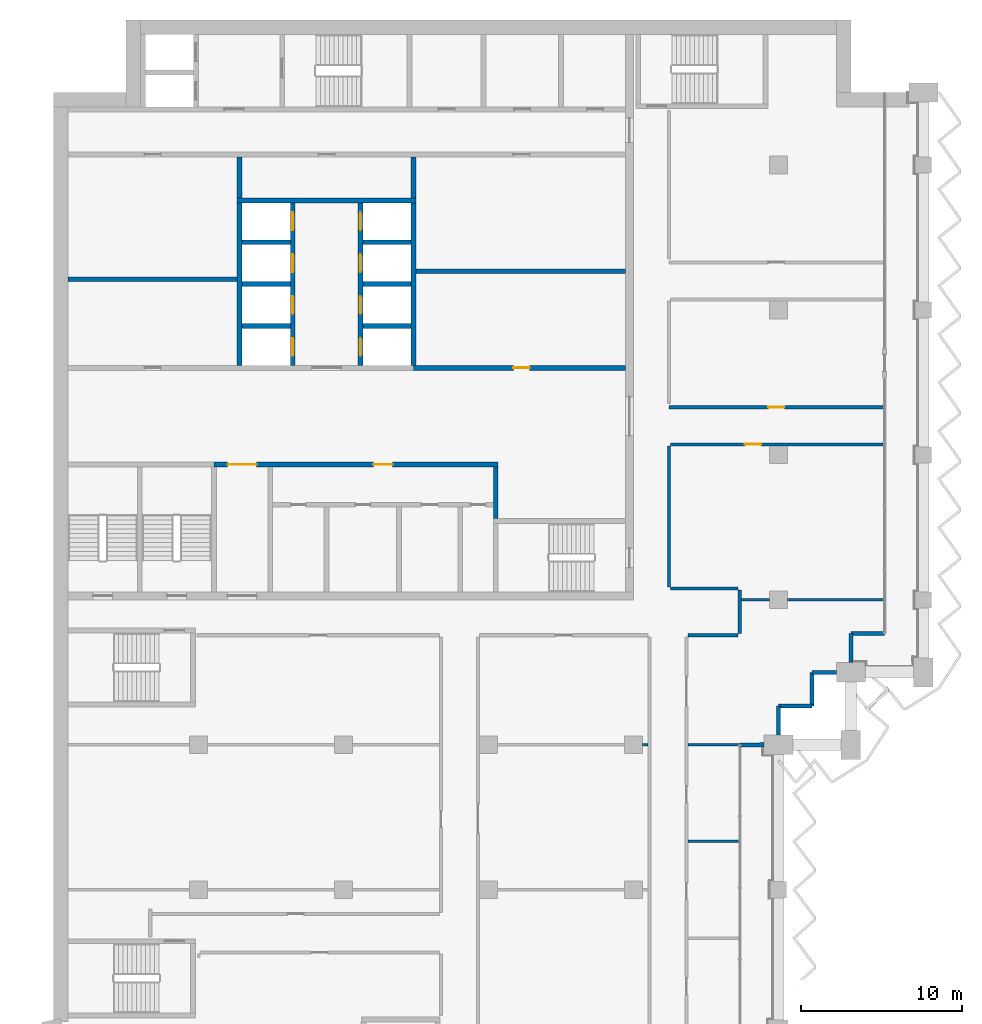
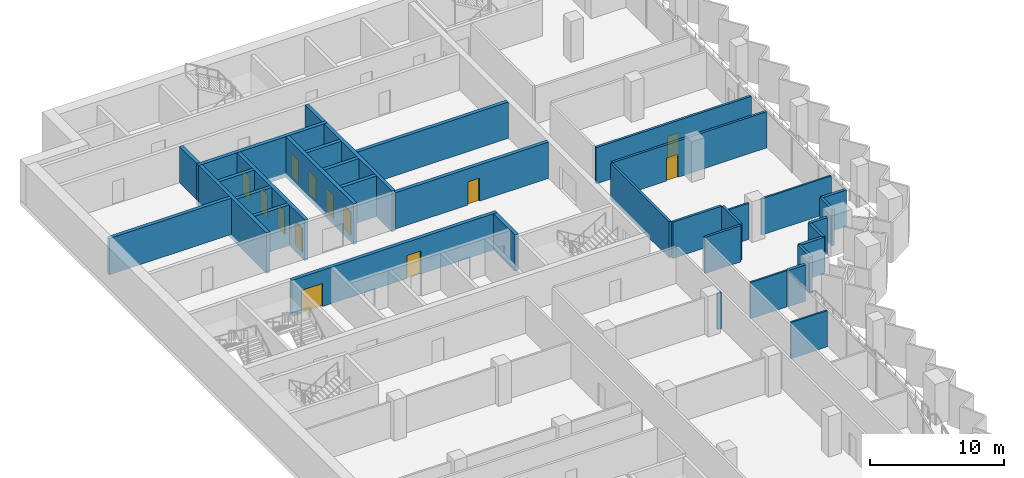
# One storey, part 9 of 17: 36 walls, 13 doors, 13 openings.
"""IFC4 building model written with IfcOpenShell, lengths in metres."""

from ifc_helpers import new_model, si_unit, direction, frame, frame_2d, origin, place, context, subcontext, project, spatial, rectangle, extrude, material, layer, layer_set, type_object, element, fill, save


model = new_model("IFC4")

# Units and contexts
model_context = context("Model", 3, precision=1e-05, world=origin(), true_north=direction((0.0, 1.0)))
body_context = subcontext(model_context, "Body", "Model", "MODEL_VIEW")
ifc_project = project(units=[si_unit("LENGTHUNIT", "METRE"), si_unit("AREAUNIT", "SQUARE_METRE"), si_unit("VOLUMEUNIT", "CUBIC_METRE"), si_unit("PLANEANGLEUNIT", "RADIAN"), si_unit("MASSUNIT", "GRAM", prefix="KILO")], contexts=[model_context])

# Site, building, storey
site_placement = place(None, origin())
site = spatial("IfcSite", under=ifc_project, at=site_placement, CompositionType="ELEMENT")
building_placement = place(site_placement, origin())
building = spatial("IfcBuilding", under=site, at=building_placement, Name="Hunhe Ridgeline Campus", CompositionType="ELEMENT")
storey_placement = place(building_placement, frame((0.0, 0.0, 197.60009765625)))
storey = spatial("IfcBuildingStorey", under=building, at=storey_placement, Name="L50", CompositionType="ELEMENT", Elevation=197.60009765625)

# Wall, openings, doors
ifc_material_1 = material(Name="Masonry concrete blockwork", Category="masonry")
ifc_layer_1 = layer(ifc_material_1, 0.300048828125)
ifc_layer_set_1 = layer_set([ifc_layer_1], Name="Core room partition 300 concrete block")
wall_type_1 = type_object("IfcWallType", Name="Core room partition 300 concrete block", PredefinedType="PARTITIONING", material=ifc_layer_set_1)
wall_1_placement = place(storey_placement, frame((9.949951171875, 71.39990234375, 0.0), z_axis=(0.0, 0.0, 1.0), x_axis=(1.0, 0.0, 0.0)))
wall_1 = element("IfcWall", 1, at=wall_1_placement, inside=storey, type_object=wall_type_1, Name="L50 core partition 11", PredefinedType="PARTITIONING", context=body_context, shape_type="SweptSolid", body=[
    extrude(rectangle(XDim=17.650146484375, YDim=0.300048828125, at=frame_2d((8.8251953125, 0.0))), origin(), (0.0, 0.0, 1.0), 3.2998046875),
])
opening_1_placement = place(wall_1_placement, frame((0.85009765625, 0.0, 0.0)))
opening_1 = element("IfcOpeningElement", 2, at=opening_1_placement, cuts=wall_1, Name="Opening CD7", PredefinedType="OPENING", context=body_context, shape_type="SweptSolid", body=[
    extrude(rectangle(XDim=1.800048828125, YDim=2.10009765625, at=frame_2d((0.89990234375, 1.050048828125))), frame((0.0, 0.14990234375, 0.0), z_axis=(0.0, -1.0, 0.0), x_axis=(1.0, 0.0, 0.0)), (0.0, 0.0, 1.0), 0.300048828125),
])
opening_2_placement = place(wall_1_placement, frame((9.89990234375, 0.0, 0.0)))
opening_2 = element("IfcOpeningElement", 3, at=opening_2_placement, cuts=wall_1, Name="Opening CD12", PredefinedType="OPENING", context=body_context, shape_type="SweptSolid", body=[
    extrude(rectangle(XDim=1.199951171875, YDim=2.10009765625, at=frame_2d((0.60009765625, 1.050048828125))), frame((0.0, 0.14990234375, 0.0), z_axis=(0.0, -1.0, 0.0), x_axis=(1.0, 0.0, 0.0)), (0.0, 0.0, 1.0), 0.300048828125),
])
ifc_material_2 = material(Name="Anodised aluminium and glass", Category="aluminium")
door_type_1 = type_object("IfcDoorType", Name="Glazed double door 1800x2100", OperationType="DOUBLE_DOOR_SINGLE_SWING", PredefinedType="DOOR", material=ifc_material_2)
door_1_placement = place(opening_1_placement, origin())
door_1 = element("IfcDoor", 4, at=door_1_placement, inside=storey, type_object=door_type_1, Name="L50 door VEST-HALL", OperationType="DOUBLE_DOOR_SINGLE_SWING", OverallHeight=2.10009765625, OverallWidth=1.800048828125, PredefinedType="DOOR", context=body_context, shape_type="SweptSolid", body=[
    extrude(rectangle(XDim=1.800048828125, YDim=2.10009765625, at=frame_2d((0.89990234375, 1.050048828125))), frame((0.0, 0.02490234375, 0.0), z_axis=(0.0, -1.0, 0.0), x_axis=(1.0, 0.0, 0.0)), (0.0, 0.0, 1.0), 0.050048828125),
])
fill(opening_1, door_1)
ifc_material_3 = material(Name="Solid core timber door leaf", Category="wood")
door_type_2 = type_object("IfcDoorType", Name="Timber door 1200x2100", OperationType="SINGLE_SWING_LEFT", PredefinedType="DOOR", material=ifc_material_3)
door_2_placement = place(opening_2_placement, origin())
door_2 = element("IfcDoor", 5, at=door_2_placement, inside=storey, type_object=door_type_2, Name="L50 door WCL2-HALL", OperationType="SINGLE_SWING_RIGHT", OverallHeight=2.10009765625, OverallWidth=1.199951171875, PredefinedType="DOOR", context=body_context, shape_type="SweptSolid", body=[
    extrude(rectangle(XDim=1.199951171875, YDim=2.10009765625, at=frame_2d((0.60009765625, 1.050048828125))), frame((0.0, 0.02490234375, 0.0), z_axis=(0.0, -1.0, 0.0), x_axis=(1.0, 0.0, 0.0)), (0.0, 0.0, 1.0), 0.050048828125),
])
fill(opening_2, door_2)

# Wall, opening, door
wall_2_placement = place(storey_placement, frame((22.35009765625, 77.39990234375, 0.0), z_axis=(0.0, 0.0, 1.0), x_axis=(1.0, 0.0, 0.0)))
wall_2 = element("IfcWall", 6, at=wall_2_placement, inside=storey, type_object=wall_type_1, Name="L50 core partition 13", PredefinedType="PARTITIONING", context=body_context, shape_type="SweptSolid", body=[
    extrude(rectangle(XDim=13.14990234375, YDim=0.300048828125, at=frame_2d((6.574951171875, 0.0))), origin(), (0.0, 0.0, 1.0), 3.2998046875),
])
opening_3_placement = place(wall_2_placement, frame((6.199951171875, 0.0, 0.0)))
opening_3 = element("IfcOpeningElement", 7, at=opening_3_placement, cuts=wall_2, Name="Opening CD32", PredefinedType="OPENING", context=body_context, shape_type="SweptSolid", body=[
    extrude(rectangle(XDim=1.0, YDim=2.10009765625, at=frame_2d((0.5, 1.050048828125))), frame((0.0, 0.14990234375, 0.0), z_axis=(0.0, -1.0, 0.0), x_axis=(1.0, 0.0, 0.0)), (0.0, 0.0, 1.0), 0.300048828125),
])
door_type_3 = type_object("IfcDoorType", Name="Timber door 1000x2100", OperationType="SINGLE_SWING_LEFT", PredefinedType="DOOR", material=ifc_material_3)
door_3_placement = place(opening_3_placement, origin())
door_3 = element("IfcDoor", 8, at=door_3_placement, inside=storey, type_object=door_type_3, Name="L50 door ES0", OperationType="SINGLE_SWING_RIGHT", OverallHeight=2.10009765625, OverallWidth=1.0, PredefinedType="DOOR", context=body_context, shape_type="SweptSolid", body=[
    extrude(rectangle(XDim=1.0, YDim=2.10009765625, at=frame_2d((0.5, 1.050048828125))), frame((0.0, 0.02490234375, 0.0), z_axis=(0.0, -1.0, 0.0), x_axis=(1.0, 0.0, 0.0)), (0.0, 0.0, 1.0), 0.050048828125),
])
fill(opening_3, door_3)

# Walls
wall_3_placement = place(storey_placement, frame((0.89990234375, 82.89990234375, 0.0), z_axis=(0.0, 0.0, 1.0), x_axis=(1.0, 0.0, 0.0)))
element("IfcWall", 9, at=wall_3_placement, inside=storey, type_object=wall_type_1, Name="L50 core partition 18", PredefinedType="PARTITIONING", context=body_context, shape_type="SweptSolid", body=[
    extrude(rectangle(XDim=10.5, YDim=0.300048828125, at=frame_2d((5.25, 0.0))), origin(), (0.0, 0.0, 1.0), 3.2998046875),
])
wall_4_placement = place(storey_placement, frame((22.5, 83.39990234375, 0.0), z_axis=(0.0, 0.0, 1.0), x_axis=(1.0, 0.0, 0.0)))
element("IfcWall", 10, at=wall_4_placement, inside=storey, type_object=wall_type_1, Name="L50 core partition 19", PredefinedType="PARTITIONING", context=body_context, shape_type="SweptSolid", body=[
    extrude(rectangle(XDim=13.0, YDim=0.300048828125, at=frame_2d((6.5, 0.0))), origin(), (0.0, 0.0, 1.0), 3.2998046875),
])
for number, where, z_axis, x_axis, name in (
    (11, (11.550048828125, 87.949951171875, 0.0), (0.0, 0.0, 1.0), (0.0, 1.0, 0.0), "L50 core partition 34"),
    (12, (22.35009765625, 87.949951171875, 0.0), (0.0, 0.0, 1.0), (0.0, 1.0, 0.0), "L50 core partition 44"),
):
    element("IfcWall", number, at=place(storey_placement, frame(where, z_axis=z_axis, x_axis=x_axis)), inside=storey, type_object=wall_type_1, Name=name, PredefinedType="PARTITIONING", context=body_context, shape_type="SweptSolid", body=[
        extrude(rectangle(XDim=2.550048828125, YDim=0.300048828125, at=frame_2d((1.27490234375, 0.0))), origin(), (0.0, 0.0, 1.0), 3.2998046875),
    ])
wall_5_placement = place(storey_placement, frame((27.449951171875, 68.050048828125, 0.0), z_axis=(0.0, 0.0, 1.0), x_axis=(0.0, 1.0, 0.0)))
element("IfcWall", 13, at=wall_5_placement, inside=storey, type_object=wall_type_1, Name="L50 core partition 49", PredefinedType="PARTITIONING", context=body_context, shape_type="SweptSolid", body=[
    extrude(rectangle(XDim=3.199951171875, YDim=0.300048828125, at=frame_2d((1.60009765625, 0.0))), origin(), (0.0, 0.0, 1.0), 3.2998046875),
])
ifc_material_4 = material(Name="Concrete C30", Category="concrete")
ifc_layer_2 = layer(ifc_material_4, 0.25)
ifc_layer_set_2 = layer_set([ifc_layer_2], Name="Corner return wall 250 Concrete C30")
wall_type_2 = type_object("IfcWallType", Name="Corner return wall 250 Concrete C30", PredefinedType="SOLIDWALL", material=ifc_layer_set_2)
wall_6_placement = place(storey_placement, frame((42.59912109375, 54.00048828125, 0.0), z_axis=(0.0, 0.0, 1.0), x_axis=(0.999999986772, 0.00016265452, 0.0)))
element("IfcWall", 14, at=wall_6_placement, inside=storey, type_object=wall_type_2, Name="Corner return wall 2", PredefinedType="SOLIDWALL", context=body_context, shape_type="SweptSolid", body=[
    extrude(rectangle(XDim=1.5009765625, YDim=0.25, at=frame_2d((0.75048828125, 0.0))), origin(), (0.0, 0.0, 1.0), 3.2998046875),
])
wall_7_placement = place(storey_placement, frame((44.9990234375, 54.60009765625, 0.0), z_axis=(0.0, 0.0, 1.0), x_axis=(0.000135593219, 0.999999990807, 0.0)))
element("IfcWall", 15, at=wall_7_placement, inside=storey, type_object=wall_type_2, Name="Corner return wall 3", PredefinedType="SOLIDWALL", context=body_context, shape_type="SweptSolid", body=[
    extrude(rectangle(XDim=1.800537109375, YDim=0.25, at=frame_2d((0.900390625, 0.0))), origin(), (0.0, 0.0, 1.0), 3.2998046875),
])
wall_8_placement = place(storey_placement, frame((44.999267578125, 56.400634765625, 0.0), z_axis=(0.0, 0.0, 1.0), x_axis=(0.999999993241, 0.00011626555, 0.0)))
element("IfcWall", 16, at=wall_8_placement, inside=storey, type_object=wall_type_2, Name="Corner return wall 4", PredefinedType="SOLIDWALL", context=body_context, shape_type="SweptSolid", body=[
    extrude(rectangle(XDim=2.099853515625, YDim=0.25, at=frame_2d((1.0498046875, 0.0))), origin(), (0.0, 0.0, 1.0), 3.2998046875),
])
wall_9_placement = place(storey_placement, frame((47.09912109375, 56.40087890625, 0.0), z_axis=(0.0, 0.0, 1.0), x_axis=(0.000232504063, 0.999999972971, 0.0)))
element("IfcWall", 17, at=wall_9_placement, inside=storey, type_object=wall_type_2, Name="Corner return wall 5", PredefinedType="SOLIDWALL", context=body_context, shape_type="SweptSolid", body=[
    extrude(rectangle(XDim=2.10009765625, YDim=0.25, at=frame_2d((1.050048828125, 0.0))), origin(), (0.0, 0.0, 1.0), 3.2998046875),
])
wall_10_placement = place(storey_placement, frame((47.099609375, 58.5009765625, 0.0), z_axis=(0.0, 0.0, 1.0), x_axis=(1.0, 0.0, 0.0)))
element("IfcWall", 18, at=wall_10_placement, inside=storey, type_object=wall_type_2, Name="Corner return wall 6", PredefinedType="SOLIDWALL", context=body_context, shape_type="SweptSolid", body=[
    extrude(rectangle(XDim=1.50048828125, YDim=0.25, at=frame_2d((0.750244140625, 0.0))), origin(), (0.0, 0.0, 1.0), 3.2998046875),
])
wall_11_placement = place(storey_placement, frame((49.4990234375, 59.10009765625, 0.0), z_axis=(0.0, 0.0, 1.0), x_axis=(0.000271149665, 0.999999963239, 0.0)))
element("IfcWall", 19, at=wall_11_placement, inside=storey, type_object=wall_type_2, Name="Corner return wall 7", PredefinedType="SOLIDWALL", context=body_context, shape_type="SweptSolid", body=[
    extrude(rectangle(XDim=1.80078125, YDim=0.25, at=frame_2d((0.900390625, 0.0))), origin(), (0.0, 0.0, 1.0), 3.2998046875),
])
wall_12_placement = place(storey_placement, frame((49.49951171875, 60.90087890625, 0.0), z_axis=(0.0, 0.0, 1.0), x_axis=(1.0, 0.0, 0.0)))
element("IfcWall", 20, at=wall_12_placement, inside=storey, type_object=wall_type_2, Name="Corner return wall 8", PredefinedType="SOLIDWALL", context=body_context, shape_type="SweptSolid", body=[
    extrude(rectangle(XDim=2.099609375, YDim=0.25, at=frame_2d((1.0498046875, 0.0))), origin(), (0.0, 0.0, 1.0), 3.2998046875),
])
ifc_material_5 = material(Name="Gypsum board partition")
ifc_layer_3 = layer(ifc_material_5, 0.199951171875)
ifc_layer_set_3 = layer_set([ifc_layer_3], Name="Corridor partition 200 gypsum board on steel studs")
wall_type_3 = type_object("IfcWallType", Name="Corridor partition 200 gypsum board on steel studs", PredefinedType="PARTITIONING", material=ifc_layer_set_3)
wall_13_placement = place(storey_placement, frame((42.5, 60.800048828125, 0.0), z_axis=(0.0, 0.0, 1.0), x_axis=(-1.0, 0.0, 0.0)))
element("IfcWall", 21, at=wall_13_placement, inside=storey, type_object=wall_type_3, Name="F-L50-wall-028", PredefinedType="PARTITIONING", context=body_context, shape_type="SweptSolid", body=[
    extrude(rectangle(XDim=3.10009765625, YDim=0.199951171875, at=frame_2d((1.550048828125, 0.0))), origin(), (0.0, 0.0, 1.0), 3.2998046875),
])
wall_14_placement = place(storey_placement, frame((38.300048828125, 63.699951171875, 0.0), z_axis=(0.0, 0.0, 1.0), x_axis=(1.0, 0.0, 0.0)))
element("IfcWall", 22, at=wall_14_placement, inside=storey, type_object=wall_type_3, Name="F-L50-wall-031", PredefinedType="PARTITIONING", context=body_context, shape_type="SweptSolid", body=[
    extrude(rectangle(XDim=4.199951171875, YDim=0.199951171875, at=frame_2d((2.10009765625, 0.0))), origin(), (0.0, 0.0, 1.0), 3.2998046875),
])

# Wall, opening, door
wall_15_placement = place(storey_placement, frame((51.544921875, 72.64990234375, 0.0), z_axis=(0.0, 0.0, 1.0), x_axis=(-1.0, 0.0, 0.0)))
wall_15 = element("IfcWall", 23, at=wall_15_placement, inside=storey, type_object=wall_type_3, Name="F-L50-wall-032", PredefinedType="PARTITIONING", context=body_context, shape_type="SweptSolid", body=[
    extrude(rectangle(XDim=13.244873046875, YDim=0.199951171875, at=frame_2d((6.62255859375, 0.0))), origin(), (0.0, 0.0, 1.0), 3.2998046875),
])
opening_4_placement = place(wall_15_placement, frame((7.62255859375, 0.0, 0.0)))
opening_4 = element("IfcOpeningElement", 24, at=opening_4_placement, cuts=wall_15, Name="Opening RD1-016", PredefinedType="OPENING", context=body_context, shape_type="SweptSolid", body=[
    extrude(rectangle(XDim=1.0, YDim=2.10009765625, at=frame_2d((0.5, 1.050048828125))), frame((0.0, 0.10009765625, 0.0), z_axis=(0.0, -1.0, 0.0), x_axis=(1.0, 0.0, 0.0)), (0.0, 0.0, 1.0), 0.199951171875),
])
ifc_material_6 = material(Name="Timber door leaf", Category="wood")
door_type_4 = type_object("IfcDoorType", Name="Single fire door 1000x2100 timber FD60", OperationType="NOTDEFINED", PredefinedType="DOOR", material=ifc_material_6)
door_4_placement = place(opening_4_placement, origin())
door_4 = element("IfcDoor", 25, at=door_4_placement, inside=storey, type_object=door_type_4, Name="F-L50-door-016", OperationType="SINGLE_SWING_RIGHT", OverallHeight=2.10009765625, OverallWidth=1.0, PredefinedType="DOOR", context=body_context, shape_type="SweptSolid", body=[
    extrude(rectangle(XDim=1.0, YDim=2.10009765625, at=frame_2d((0.5, 1.050048828125))), frame((0.0, 0.02490234375, 0.0), z_axis=(0.0, -1.0, 0.0), x_axis=(1.0, 0.0, 0.0)), (0.0, 0.0, 1.0), 0.050048828125),
])
fill(opening_4, door_4)

wall_16_placement = place(storey_placement, frame((38.199951171875, 74.949951171875, 0.0), z_axis=(0.0, 0.0, 1.0), x_axis=(1.0, 0.0, 0.0)))
wall_16 = element("IfcWall", 26, at=wall_16_placement, inside=storey, type_object=wall_type_3, Name="F-L50-wall-033", PredefinedType="PARTITIONING", context=body_context, shape_type="SweptSolid", body=[
    extrude(rectangle(XDim=13.344970703125, YDim=0.199951171875, at=frame_2d((6.67236328125, 0.0))), origin(), (0.0, 0.0, 1.0), 3.2998046875),
])
opening_5_placement = place(wall_16_placement, frame((6.172607421875, 0.0, 0.0)))
opening_5 = element("IfcOpeningElement", 27, at=opening_5_placement, cuts=wall_16, Name="Opening RD1-017", PredefinedType="OPENING", context=body_context, shape_type="SweptSolid", body=[
    extrude(rectangle(XDim=1.0, YDim=2.10009765625, at=frame_2d((0.5, 1.050048828125))), frame((0.0, 0.10009765625, 0.0), z_axis=(0.0, -1.0, 0.0), x_axis=(1.0, 0.0, 0.0)), (0.0, 0.0, 1.0), 0.199951171875),
])
door_5_placement = place(opening_5_placement, origin())
door_5 = element("IfcDoor", 28, at=door_5_placement, inside=storey, type_object=door_type_4, Name="F-L50-door-017", OperationType="SINGLE_SWING_LEFT", OverallHeight=2.10009765625, OverallWidth=1.0, PredefinedType="DOOR", context=body_context, shape_type="SweptSolid", body=[
    extrude(rectangle(XDim=1.0, YDim=2.10009765625, at=frame_2d((0.5, 1.050048828125))), frame((0.0, 0.02490234375, 0.0), z_axis=(0.0, -1.0, 0.0), x_axis=(1.0, 0.0, 0.0)), (0.0, 0.0, 1.0), 0.050048828125),
])
fill(opening_5, door_5)

# Walls
wall_17_placement = place(storey_placement, frame((38.199951171875, 72.550048828125, 0.0), z_axis=(0.0, 0.0, 1.0), x_axis=(0.0, -1.0, 0.0)))
element("IfcWall", 29, at=wall_17_placement, inside=storey, type_object=wall_type_3, Name="F-L50-wall-044", PredefinedType="PARTITIONING", context=body_context, shape_type="SweptSolid", body=[
    extrude(rectangle(XDim=8.75, YDim=0.199951171875, at=frame_2d((4.375, 0.0))), origin(), (0.0, 0.0, 1.0), 3.2998046875),
])
wall_18_placement = place(storey_placement, frame((42.60009765625, 63.60009765625, 0.0), z_axis=(0.0, 0.0, 1.0), x_axis=(0.0, -1.0, 0.0)))
element("IfcWall", 30, at=wall_18_placement, inside=storey, type_object=wall_type_3, Name="F-L50-wall-048", PredefinedType="PARTITIONING", context=body_context, shape_type="SweptSolid", body=[
    extrude(rectangle(XDim=2.7001953125, YDim=0.199951171875, at=frame_2d((1.35009765625, 0.0))), origin(), (0.0, 0.0, 1.0), 3.2998046875),
])
ifc_layer_4 = layer(ifc_material_5, 0.14990234375)
ifc_layer_set_4 = layer_set([ifc_layer_4], Name="Room partition 150 gypsum board on steel studs")
wall_type_4 = type_object("IfcWallType", Name="Room partition 150 gypsum board on steel studs", PredefinedType="PARTITIONING", material=ifc_layer_set_4)
wall_19_placement = place(storey_placement, frame((39.39990234375, 48.0, 0.0), z_axis=(0.0, 0.0, 1.0), x_axis=(1.0, 0.0, 0.0)))
element("IfcWall", 31, at=wall_19_placement, inside=storey, type_object=wall_type_4, Name="F-L50-wall-019", PredefinedType="PARTITIONING", context=body_context, shape_type="SweptSolid", body=[
    extrude(rectangle(XDim=3.145263671875, YDim=0.14990234375, at=frame_2d((1.57275390625, 0.0))), origin(), (0.0, 0.0, 1.0), 3.2998046875),
])
wall_20_placement = place(storey_placement, frame((36.550048828125, 54.0, 0.0), z_axis=(0.0, 0.0, 1.0), x_axis=(1.0, 0.0, 0.0)))
element("IfcWall", 32, at=wall_20_placement, inside=storey, type_object=wall_type_4, Name="F-L50-wall-024", PredefinedType="PARTITIONING", context=body_context, shape_type="SweptSolid", body=[
    extrude(rectangle(XDim=0.349853515625, YDim=0.14990234375, at=frame_2d((0.1748046875, 0.0))), origin(), (0.0, 0.0, 1.0), 3.2998046875),
])
wall_21_placement = place(storey_placement, frame((39.39990234375, 54.0, 0.0), z_axis=(0.0, 0.0, 1.0), x_axis=(1.0, 0.0, 0.0)))
element("IfcWall", 33, at=wall_21_placement, inside=storey, type_object=wall_type_4, Name="F-L50-wall-025", PredefinedType="PARTITIONING", context=body_context, shape_type="SweptSolid", body=[
    extrude(rectangle(XDim=3.145263671875, YDim=0.14990234375, at=frame_2d((1.57275390625, 0.0))), origin(), (0.0, 0.0, 1.0), 3.2998046875),
])
wall_22_placement = place(storey_placement, frame((42.699951171875, 63.0, 0.0), z_axis=(0.0, 0.0, 1.0), x_axis=(1.0, 0.0, 0.0)))
element("IfcWall", 34, at=wall_22_placement, inside=storey, type_object=wall_type_4, Name="F-L50-wall-029", PredefinedType="PARTITIONING", context=body_context, shape_type="SweptSolid", body=[
    extrude(rectangle(XDim=1.75, YDim=0.14990234375, at=frame_2d((0.875, 0.0))), origin(), (0.0, 0.0, 1.0), 3.2998046875),
])
wall_23_placement = place(storey_placement, frame((45.550048828125, 63.0, 0.0), z_axis=(0.0, 0.0, 1.0), x_axis=(1.0, 0.0, 0.0)))
element("IfcWall", 35, at=wall_23_placement, inside=storey, type_object=wall_type_4, Name="F-L50-wall-030", PredefinedType="PARTITIONING", context=body_context, shape_type="SweptSolid", body=[
    extrude(rectangle(XDim=5.994873046875, YDim=0.14990234375, at=frame_2d((2.99755859375, 0.0))), origin(), (0.0, 0.0, 1.0), 3.2998046875),
])
ifc_material_7 = material(Name="Concrete C60", Category="concrete")
ifc_layer_5 = layer(ifc_material_7, 0.300048828125)
ifc_layer_set_5 = layer_set([ifc_layer_5], Name="Shaft wall 300 reinforced concrete C60")
wall_type_5 = type_object("IfcWallType", Name="Shaft wall 300 reinforced concrete C60", PredefinedType="SOLIDWALL", material=ifc_layer_set_5)
for number, where, z_axis, x_axis, name in (
    (36, (11.699951171875, 80.0, -0.400146484375), (0.0, 0.0, 1.0), (1.0, 0.0, 0.0), "L50 core wall 14"),
    (37, (19.199951171875, 80.0, -0.400146484375), (0.0, 0.0, 1.0), (1.0, 0.0, 0.0), "L50 core wall 15"),
    (38, (11.699951171875, 82.60009765625, -0.400146484375), (0.0, 0.0, 1.0), (1.0, 0.0, 0.0), "L50 core wall 16"),
    (39, (19.199951171875, 82.60009765625, -0.400146484375), (0.0, 0.0, 1.0), (1.0, 0.0, 0.0), "L50 core wall 17"),
    (40, (11.699951171875, 85.199951171875, -0.400146484375), (0.0, 0.0, 1.0), (1.0, 0.0, 0.0), "L50 core wall 20"),
    (41, (19.199951171875, 85.199951171875, -0.400146484375), (0.0, 0.0, 1.0), (1.0, 0.0, 0.0), "L50 core wall 21"),
):
    element("IfcWall", number, at=place(storey_placement, frame(where, z_axis=z_axis, x_axis=x_axis)), inside=storey, type_object=wall_type_5, Name=name, PredefinedType="SOLIDWALL", context=body_context, shape_type="SweptSolid", body=[
        extrude(rectangle(XDim=3.0, YDim=0.300048828125, at=frame_2d((1.5, 0.0))), origin(), (0.0, 0.0, 1.0), 3.699951171875),
    ])
wall_24_placement = place(storey_placement, frame((11.39990234375, 87.800048828125, -0.400146484375), z_axis=(0.0, 0.0, 1.0), x_axis=(1.0, 0.0, 0.0)))
element("IfcWall", 42, at=wall_24_placement, inside=storey, type_object=wall_type_5, Name="L50 core wall 22", PredefinedType="SOLIDWALL", context=body_context, shape_type="SweptSolid", body=[
    extrude(rectangle(XDim=11.10009765625, YDim=0.300048828125, at=frame_2d((5.550048828125, 0.0))), origin(), (0.0, 0.0, 1.0), 3.699951171875),
])
wall_25_placement = place(storey_placement, frame((11.550048828125, 77.550048828125, -0.400146484375), z_axis=(0.0, 0.0, 1.0), x_axis=(0.0, 1.0, 0.0)))
element("IfcWall", 43, at=wall_25_placement, inside=storey, type_object=wall_type_5, Name="L50 core wall 33", PredefinedType="SOLIDWALL", context=body_context, shape_type="SweptSolid", body=[
    extrude(rectangle(XDim=10.099853515625, YDim=0.300048828125, at=frame_2d((5.0498046875, 0.0))), origin(), (0.0, 0.0, 1.0), 3.699951171875),
])

# Wall, openings, doors
wall_26_placement = place(storey_placement, frame((14.85009765625, 77.550048828125, -0.400146484375), z_axis=(0.0, 0.0, 1.0), x_axis=(0.0, 1.0, 0.0)))
wall_26 = element("IfcWall", 44, at=wall_26_placement, inside=storey, type_object=wall_type_5, Name="L50 core wall 37", PredefinedType="SOLIDWALL", context=body_context, shape_type="SweptSolid", body=[
    extrude(rectangle(XDim=10.099853515625, YDim=0.300048828125, at=frame_2d((5.0498046875, 0.0))), origin(), (0.0, 0.0, 1.0), 3.699951171875),
])
opening_6_placement = place(wall_26_placement, frame((0.60009765625, 0.0, 0.39990234375)))
opening_6 = element("IfcOpeningElement", 45, at=opening_6_placement, cuts=wall_26, Name="Opening LD-HR1", PredefinedType="OPENING", context=body_context, shape_type="SweptSolid", body=[
    extrude(rectangle(XDim=1.10009765625, YDim=2.10009765625, at=frame_2d((0.550048828125, 1.050048828125))), frame((0.0, 0.14990234375, 0.0), z_axis=(0.0, -1.0, 0.0), x_axis=(1.0, 0.0, 0.0)), (0.0, 0.0, 1.0), 0.300048828125),
])
opening_7_placement = place(wall_26_placement, frame((3.199951171875, 0.0, 0.39990234375)))
opening_7 = element("IfcOpeningElement", 46, at=opening_7_placement, cuts=wall_26, Name="Opening LD-HR2", PredefinedType="OPENING", context=body_context, shape_type="SweptSolid", body=[
    extrude(rectangle(XDim=1.10009765625, YDim=2.10009765625, at=frame_2d((0.550048828125, 1.050048828125))), frame((0.0, 0.14990234375, 0.0), z_axis=(0.0, -1.0, 0.0), x_axis=(1.0, 0.0, 0.0)), (0.0, 0.0, 1.0), 0.300048828125),
])
opening_8_placement = place(wall_26_placement, frame((5.800048828125, 0.0, 0.39990234375)))
opening_8 = element("IfcOpeningElement", 47, at=opening_8_placement, cuts=wall_26, Name="Opening LD-HR3", PredefinedType="OPENING", context=body_context, shape_type="SweptSolid", body=[
    extrude(rectangle(XDim=1.10009765625, YDim=2.10009765625, at=frame_2d((0.550048828125, 1.050048828125))), frame((0.0, 0.14990234375, 0.0), z_axis=(0.0, -1.0, 0.0), x_axis=(1.0, 0.0, 0.0)), (0.0, 0.0, 1.0), 0.300048828125),
])
opening_9_placement = place(wall_26_placement, frame((8.39990234375, 0.0, 0.39990234375)))
opening_9 = element("IfcOpeningElement", 48, at=opening_9_placement, cuts=wall_26, Name="Opening LD-HR4", PredefinedType="OPENING", context=body_context, shape_type="SweptSolid", body=[
    extrude(rectangle(XDim=1.10009765625, YDim=2.10009765625, at=frame_2d((0.550048828125, 1.050048828125))), frame((0.0, 0.14990234375, 0.0), z_axis=(0.0, -1.0, 0.0), x_axis=(1.0, 0.0, 0.0)), (0.0, 0.0, 1.0), 0.300048828125),
])
ifc_material_8 = material(Name="Stainless steel sliding leaves", Category="steel")
door_type_5 = type_object("IfcDoorType", Name="Landing door 1100x2100 FD120", OperationType="SLIDING_TO_LEFT", PredefinedType="DOOR", material=ifc_material_8)
door_6_placement = place(opening_6_placement, origin())
door_6 = element("IfcDoor", 49, at=door_6_placement, inside=storey, type_object=door_type_5, Name="L50 landing door HR1", OperationType="SLIDING_TO_RIGHT", OverallHeight=2.10009765625, OverallWidth=1.10009765625, PredefinedType="DOOR", context=body_context, shape_type="SweptSolid", body=[
    extrude(rectangle(XDim=1.10009765625, YDim=2.10009765625, at=frame_2d((0.550048828125, 1.050048828125))), frame((0.0, 0.02490234375, 0.0), z_axis=(0.0, -1.0, 0.0), x_axis=(1.0, 0.0, 0.0)), (0.0, 0.0, 1.0), 0.050048828125),
])
fill(opening_6, door_6)
door_7_placement = place(opening_7_placement, origin())
door_7 = element("IfcDoor", 50, at=door_7_placement, inside=storey, type_object=door_type_5, Name="L50 landing door HR2", OperationType="SLIDING_TO_LEFT", OverallHeight=2.10009765625, OverallWidth=1.10009765625, PredefinedType="DOOR", context=body_context, shape_type="SweptSolid", body=[
    extrude(rectangle(XDim=1.10009765625, YDim=2.10009765625, at=frame_2d((0.550048828125, 1.050048828125))), frame((0.0, 0.02490234375, 0.0), z_axis=(0.0, -1.0, 0.0), x_axis=(1.0, 0.0, 0.0)), (0.0, 0.0, 1.0), 0.050048828125),
])
fill(opening_7, door_7)
door_8_placement = place(opening_8_placement, origin())
door_8 = element("IfcDoor", 51, at=door_8_placement, inside=storey, type_object=door_type_5, Name="L50 landing door HR3", OperationType="SLIDING_TO_RIGHT", OverallHeight=2.10009765625, OverallWidth=1.10009765625, PredefinedType="DOOR", context=body_context, shape_type="SweptSolid", body=[
    extrude(rectangle(XDim=1.10009765625, YDim=2.10009765625, at=frame_2d((0.550048828125, 1.050048828125))), frame((0.0, 0.02490234375, 0.0), z_axis=(0.0, -1.0, 0.0), x_axis=(1.0, 0.0, 0.0)), (0.0, 0.0, 1.0), 0.050048828125),
])
fill(opening_8, door_8)
door_9_placement = place(opening_9_placement, origin())
door_9 = element("IfcDoor", 52, at=door_9_placement, inside=storey, type_object=door_type_5, Name="L50 landing door HR4", OperationType="SLIDING_TO_LEFT", OverallHeight=2.10009765625, OverallWidth=1.10009765625, PredefinedType="DOOR", context=body_context, shape_type="SweptSolid", body=[
    extrude(rectangle(XDim=1.10009765625, YDim=2.10009765625, at=frame_2d((0.550048828125, 1.050048828125))), frame((0.0, 0.02490234375, 0.0), z_axis=(0.0, -1.0, 0.0), x_axis=(1.0, 0.0, 0.0)), (0.0, 0.0, 1.0), 0.050048828125),
])
fill(opening_9, door_9)

wall_27_placement = place(storey_placement, frame((19.050048828125, 77.550048828125, -0.400146484375), z_axis=(0.0, 0.0, 1.0), x_axis=(0.0, 1.0, 0.0)))
wall_27 = element("IfcWall", 53, at=wall_27_placement, inside=storey, type_object=wall_type_5, Name="L50 core wall 39", PredefinedType="SOLIDWALL", context=body_context, shape_type="SweptSolid", body=[
    extrude(rectangle(XDim=10.099853515625, YDim=0.300048828125, at=frame_2d((5.0498046875, 0.0))), origin(), (0.0, 0.0, 1.0), 3.699951171875),
])
opening_10_placement = place(wall_27_placement, frame((0.60009765625, 0.0, 0.39990234375)))
opening_10 = element("IfcOpeningElement", 54, at=opening_10_placement, cuts=wall_27, Name="Opening LD-HR5", PredefinedType="OPENING", context=body_context, shape_type="SweptSolid", body=[
    extrude(rectangle(XDim=1.10009765625, YDim=2.10009765625, at=frame_2d((0.550048828125, 1.050048828125))), frame((0.0, 0.14990234375, 0.0), z_axis=(0.0, -1.0, 0.0), x_axis=(1.0, 0.0, 0.0)), (0.0, 0.0, 1.0), 0.300048828125),
])
opening_11_placement = place(wall_27_placement, frame((3.199951171875, 0.0, 0.39990234375)))
opening_11 = element("IfcOpeningElement", 55, at=opening_11_placement, cuts=wall_27, Name="Opening LD-HR6", PredefinedType="OPENING", context=body_context, shape_type="SweptSolid", body=[
    extrude(rectangle(XDim=1.10009765625, YDim=2.10009765625, at=frame_2d((0.550048828125, 1.050048828125))), frame((0.0, 0.14990234375, 0.0), z_axis=(0.0, -1.0, 0.0), x_axis=(1.0, 0.0, 0.0)), (0.0, 0.0, 1.0), 0.300048828125),
])
opening_12_placement = place(wall_27_placement, frame((5.800048828125, 0.0, 0.39990234375)))
opening_12 = element("IfcOpeningElement", 56, at=opening_12_placement, cuts=wall_27, Name="Opening LD-HR7", PredefinedType="OPENING", context=body_context, shape_type="SweptSolid", body=[
    extrude(rectangle(XDim=1.10009765625, YDim=2.10009765625, at=frame_2d((0.550048828125, 1.050048828125))), frame((0.0, 0.14990234375, 0.0), z_axis=(0.0, -1.0, 0.0), x_axis=(1.0, 0.0, 0.0)), (0.0, 0.0, 1.0), 0.300048828125),
])
opening_13_placement = place(wall_27_placement, frame((8.39990234375, 0.0, 0.39990234375)))
opening_13 = element("IfcOpeningElement", 57, at=opening_13_placement, cuts=wall_27, Name="Opening LD-HR8", PredefinedType="OPENING", context=body_context, shape_type="SweptSolid", body=[
    extrude(rectangle(XDim=1.10009765625, YDim=2.10009765625, at=frame_2d((0.550048828125, 1.050048828125))), frame((0.0, 0.14990234375, 0.0), z_axis=(0.0, -1.0, 0.0), x_axis=(1.0, 0.0, 0.0)), (0.0, 0.0, 1.0), 0.300048828125),
])
door_10_placement = place(opening_10_placement, origin())
door_10 = element("IfcDoor", 58, at=door_10_placement, inside=storey, type_object=door_type_5, Name="L50 landing door HR5", OperationType="SLIDING_TO_RIGHT", OverallHeight=2.10009765625, OverallWidth=1.10009765625, PredefinedType="DOOR", context=body_context, shape_type="SweptSolid", body=[
    extrude(rectangle(XDim=1.10009765625, YDim=2.10009765625, at=frame_2d((0.550048828125, 1.050048828125))), frame((0.0, 0.02490234375, 0.0), z_axis=(0.0, -1.0, 0.0), x_axis=(1.0, 0.0, 0.0)), (0.0, 0.0, 1.0), 0.050048828125),
])
fill(opening_10, door_10)
door_11_placement = place(opening_11_placement, origin())
door_11 = element("IfcDoor", 59, at=door_11_placement, inside=storey, type_object=door_type_5, Name="L50 landing door HR6", OperationType="SLIDING_TO_LEFT", OverallHeight=2.10009765625, OverallWidth=1.10009765625, PredefinedType="DOOR", context=body_context, shape_type="SweptSolid", body=[
    extrude(rectangle(XDim=1.10009765625, YDim=2.10009765625, at=frame_2d((0.550048828125, 1.050048828125))), frame((0.0, 0.02490234375, 0.0), z_axis=(0.0, -1.0, 0.0), x_axis=(1.0, 0.0, 0.0)), (0.0, 0.0, 1.0), 0.050048828125),
])
fill(opening_11, door_11)
door_12_placement = place(opening_12_placement, origin())
door_12 = element("IfcDoor", 60, at=door_12_placement, inside=storey, type_object=door_type_5, Name="L50 landing door HR7", OperationType="SLIDING_TO_RIGHT", OverallHeight=2.10009765625, OverallWidth=1.10009765625, PredefinedType="DOOR", context=body_context, shape_type="SweptSolid", body=[
    extrude(rectangle(XDim=1.10009765625, YDim=2.10009765625, at=frame_2d((0.550048828125, 1.050048828125))), frame((0.0, 0.02490234375, 0.0), z_axis=(0.0, -1.0, 0.0), x_axis=(1.0, 0.0, 0.0)), (0.0, 0.0, 1.0), 0.050048828125),
])
fill(opening_12, door_12)
door_13_placement = place(opening_13_placement, origin())
door_13 = element("IfcDoor", 61, at=door_13_placement, inside=storey, type_object=door_type_5, Name="L50 landing door HR8", OperationType="SLIDING_TO_LEFT", OverallHeight=2.10009765625, OverallWidth=1.10009765625, PredefinedType="DOOR", context=body_context, shape_type="SweptSolid", body=[
    extrude(rectangle(XDim=1.10009765625, YDim=2.10009765625, at=frame_2d((0.550048828125, 1.050048828125))), frame((0.0, 0.02490234375, 0.0), z_axis=(0.0, -1.0, 0.0), x_axis=(1.0, 0.0, 0.0)), (0.0, 0.0, 1.0), 0.050048828125),
])
fill(opening_13, door_13)

# Wall
wall_28_placement = place(storey_placement, frame((22.35009765625, 77.550048828125, -0.400146484375), z_axis=(0.0, 0.0, 1.0), x_axis=(0.0, 1.0, 0.0)))
element("IfcWall", 62, at=wall_28_placement, inside=storey, type_object=wall_type_5, Name="L50 core wall 43", PredefinedType="SOLIDWALL", context=body_context, shape_type="SweptSolid", body=[
    extrude(rectangle(XDim=10.099853515625, YDim=0.300048828125, at=frame_2d((5.0498046875, 0.0))), origin(), (0.0, 0.0, 1.0), 3.699951171875),
])

save(model, "model.ifc")
